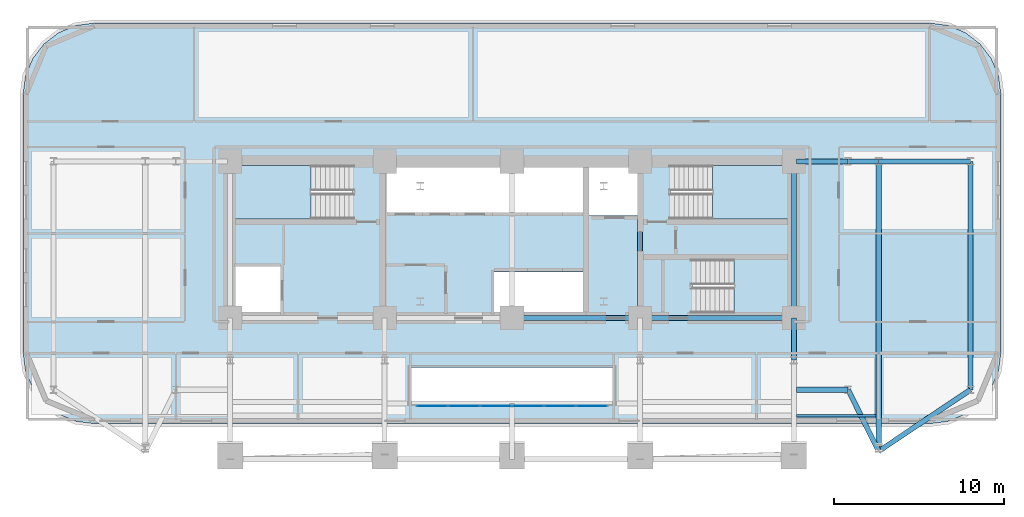
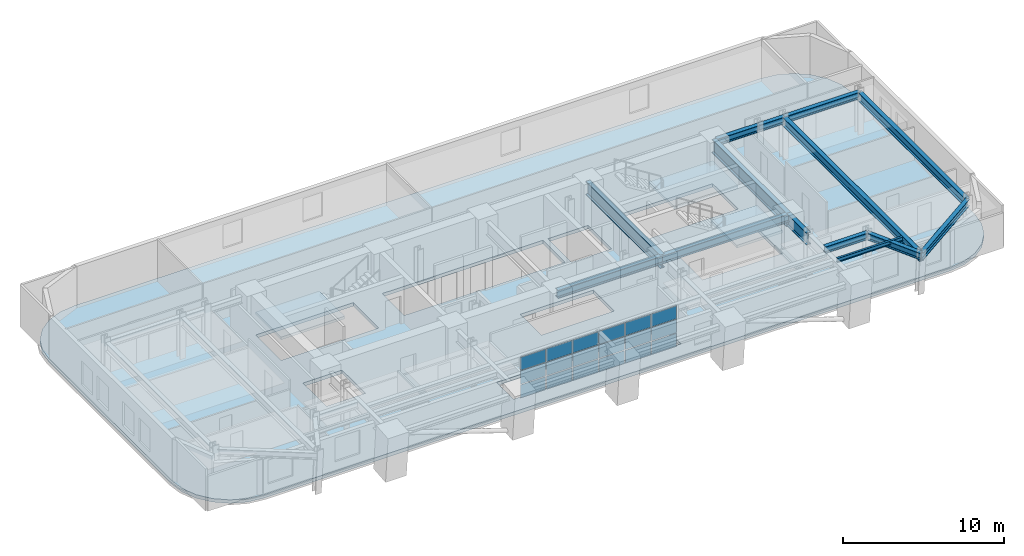
# One storey, part 5 of 15: 18 plates, 14 beams, 4 slabs, 4 elements without a shape of their own.
"""IFC4 building model written with IfcOpenShell, lengths in metres."""

from ifc_helpers import new_model, si_unit, direction, frame, origin, origin_2d, place, context, subcontext, project, spatial, polyline, rectangle, i_section, outline, extrude, material, layer, layer_set, material_profile, profile_set, type_object, element, aggregate, save


model = new_model("IFC4")

# Units and contexts
model_context = context("Model", 3, precision=1e-05, world=origin(), true_north=direction((0.0, 1.0)))
body_context = subcontext(model_context, "Body", "Model", "MODEL_VIEW")
ifc_project = project(units=[si_unit("LENGTHUNIT", "METRE"), si_unit("AREAUNIT", "SQUARE_METRE"), si_unit("VOLUMEUNIT", "CUBIC_METRE"), si_unit("PLANEANGLEUNIT", "RADIAN"), si_unit("MASSUNIT", "GRAM", prefix="KILO")], contexts=[model_context])

# Site, building, storey
site_placement = place(None, origin())
site = spatial("IfcSite", under=ifc_project, at=site_placement, CompositionType="ELEMENT")
building_placement = place(site_placement, origin())
building = spatial("IfcBuilding", under=site, at=building_placement, Name="Zarnavel Station Tower", CompositionType="ELEMENT")
storey_placement = place(building_placement, frame((0.0, 0.0, 71.0)))
storey = spatial("IfcBuildingStorey", under=building, at=storey_placement, Name="L19", CompositionType="ELEMENT", Elevation=71.0)

# Beams
ifc_material_1 = material(Name="Steel S355J2", Category="steel")
ifc_material_profile_1 = material_profile(ifc_material_1, i_section(OverallWidth=0.300048828125, OverallDepth=0.5, WebThickness=0.014404296875, FlangeThickness=0.028076171875, FilletRadius=0.027099609375, at=origin_2d()), Name="HEB500")
ifc_profile_set_1 = profile_set([ifc_material_profile_1], Name="Steel S355J2")
beam_type_1 = type_object("IfcBeamType", Name="FG_HEB500", PredefinedType="USERDEFINED", material=ifc_profile_set_1)
for number, where, z_axis, x_axis, name in (
    (1, (45.544921875, 23.60009765625, 2.929931640625), (1.0, 0.0, 0.0), (0.0, 1.0, 0.0), "L19 East Wing South Tie 1"),
    (2, (45.544921875, 37.050048828125, 2.929931640625), (1.0, 0.0, 0.0), (0.0, 1.0, 0.0), "L19 East Wing North Tie 1"),
):
    element("IfcBeam", number, at=place(storey_placement, frame(where, z_axis=z_axis, x_axis=x_axis)), inside=storey, type_object=beam_type_1, Name=name, ObjectType="GIRDER", PredefinedType="USERDEFINED", context=body_context, shape_type="SweptSolid", body=[
        extrude(i_section(OverallWidth=0.300048828125, OverallDepth=0.5, WebThickness=0.014404296875, FlangeThickness=0.028076171875, FilletRadius=0.027099609375, at=origin_2d()), origin(), (0.0, 0.0, 1.0), 3.05517578125),
    ])
beam_1_placement = place(storey_placement, frame((48.60009765625, 23.60009765625, 2.929931640625), z_axis=(0.445087120577, -0.895487272437, 0.0), x_axis=(0.895487272437, 0.445087120577, 0.0)))
element("IfcBeam", 3, at=beam_1_placement, inside=storey, type_object=beam_type_1, Name="L19 East Wing South Tie 2", ObjectType="GIRDER", PredefinedType="USERDEFINED", context=body_context, shape_type="SweptSolid", body=[
    extrude(i_section(OverallWidth=0.300048828125, OverallDepth=0.5, WebThickness=0.014404296875, FlangeThickness=0.028076171875, FilletRadius=0.027099609375, at=origin_2d()), origin(), (0.0, 0.0, 1.0), 4.043701171875),
])
beam_2_placement = place(storey_placement, frame((48.60009765625, 37.050048828125, 2.929931640625), z_axis=(1.0, 0.0, 0.0), x_axis=(0.0, 1.0, 0.0)))
element("IfcBeam", 4, at=beam_2_placement, inside=storey, type_object=beam_type_1, Name="L19 East Wing North Tie 2", ObjectType="GIRDER", PredefinedType="USERDEFINED", context=body_context, shape_type="SweptSolid", body=[
    extrude(i_section(OverallWidth=0.300048828125, OverallDepth=0.5, WebThickness=0.014404296875, FlangeThickness=0.028076171875, FilletRadius=0.027099609375, at=origin_2d()), origin(), (0.0, 0.0, 1.0), 1.7998046875),
])
beam_3_placement = place(storey_placement, frame((50.39990234375, 19.97900390625, 2.929931640625), z_axis=(0.830556865496, 0.556933831956, 0.0), x_axis=(-0.556933831956, 0.830556865496, 0.0)))
element("IfcBeam", 5, at=beam_3_placement, inside=storey, type_object=beam_type_1, Name="L19 East Wing South Tie 3", ObjectType="GIRDER", PredefinedType="USERDEFINED", context=body_context, shape_type="SweptSolid", body=[
    extrude(i_section(OverallWidth=0.300048828125, OverallDepth=0.5, WebThickness=0.014404296875, FlangeThickness=0.028076171875, FilletRadius=0.027099609375, at=origin_2d()), origin(), (0.0, 0.0, 1.0), 6.501953125),
])
beam_4_placement = place(storey_placement, frame((50.39990234375, 37.050048828125, 2.929931640625), z_axis=(1.0, 0.0, 0.0), x_axis=(0.0, 1.0, 0.0)))
element("IfcBeam", 6, at=beam_4_placement, inside=storey, type_object=beam_type_1, Name="L19 East Wing North Tie 3", ObjectType="GIRDER", PredefinedType="USERDEFINED", context=body_context, shape_type="SweptSolid", body=[
    extrude(i_section(OverallWidth=0.300048828125, OverallDepth=0.5, WebThickness=0.014404296875, FlangeThickness=0.028076171875, FilletRadius=0.027099609375, at=origin_2d()), origin(), (0.0, 0.0, 1.0), 5.400146484375),
])
ifc_material_2 = material(Name="Steel S355J2", Category="steel")
ifc_material_profile_2 = material_profile(ifc_material_2, i_section(OverallWidth=0.300048828125, OverallDepth=0.60009765625, WebThickness=0.015380859375, FlangeThickness=0.030029296875, FilletRadius=0.027099609375, at=origin_2d()), Name="HEB600")
ifc_profile_set_2 = profile_set([ifc_material_profile_2], Name="Steel S355J2")
beam_type_2 = type_object("IfcBeamType", Name="FG_HEB600", PredefinedType="USERDEFINED", material=ifc_profile_set_2)
beam_5_placement = place(storey_placement, frame((28.800048828125, 27.820068359375, 2.8798828125), z_axis=(1.0, 0.0, 0.0), x_axis=(0.0, 1.0, 0.0)))
element("IfcBeam", 7, at=beam_5_placement, inside=storey, type_object=beam_type_2, Name="L19 Core Front Coupling Beam 3", ObjectType="GIRDER", PredefinedType="USERDEFINED", context=body_context, shape_type="SweptSolid", body=[
    extrude(i_section(OverallWidth=0.300048828125, OverallDepth=0.60009765625, WebThickness=0.015380859375, FlangeThickness=0.030029296875, FilletRadius=0.027099609375, at=origin_2d()), origin(), (0.0, 0.0, 1.0), 7.550048828125),
])
beam_6_placement = place(storey_placement, frame((36.35009765625, 27.820068359375, 2.8798828125), z_axis=(1.0, 0.0, 0.0), x_axis=(0.0, 1.0, 0.0)))
element("IfcBeam", 8, at=beam_6_placement, inside=storey, type_object=beam_type_2, Name="L19 Core Front Coupling Beam 4", ObjectType="GIRDER", PredefinedType="USERDEFINED", context=body_context, shape_type="SweptSolid", body=[
    extrude(i_section(OverallWidth=0.300048828125, OverallDepth=0.60009765625, WebThickness=0.015380859375, FlangeThickness=0.030029296875, FilletRadius=0.027099609375, at=origin_2d()), origin(), (0.0, 0.0, 1.0), 9.0498046875),
])
ifc_material_3 = material(Name="Steel S355J2", Category="steel")
ifc_material_profile_3 = material_profile(ifc_material_3, i_section(OverallWidth=0.300048828125, OverallDepth=0.64990234375, WebThickness=0.01611328125, FlangeThickness=0.031005859375, FilletRadius=0.027099609375, at=origin_2d()), Name="HEB650")
ifc_profile_set_3 = profile_set([ifc_material_profile_3], Name="Steel S355J2")
beam_type_3 = type_object("IfcBeamType", Name="FG_HEB650", PredefinedType="USERDEFINED", material=ifc_profile_set_3)
beam_7_placement = place(storey_placement, frame((50.39990234375, 19.97900390625, 2.85498046875), z_axis=(0.0, 1.0, 0.0), x_axis=(-1.0, 0.0, 0.0)))
element("IfcBeam", 9, at=beam_7_placement, inside=storey, type_object=beam_type_3, Name="L19 Wing NS Girder 3", ObjectType="GIRDER", PredefinedType="USERDEFINED", context=body_context, shape_type="SweptSolid", body=[
    extrude(i_section(OverallWidth=0.300048828125, OverallDepth=0.64990234375, WebThickness=0.01611328125, FlangeThickness=0.031005859375, FilletRadius=0.027099609375, at=origin_2d()), origin(), (0.0, 0.0, 1.0), 17.071044921875),
])
beam_8_placement = place(storey_placement, frame((55.800048828125, 23.60009765625, 2.85498046875), z_axis=(0.0, 1.0, 0.0), x_axis=(-1.0, 0.0, 0.0)))
element("IfcBeam", 10, at=beam_8_placement, inside=storey, type_object=beam_type_3, Name="L19 Wing NS Girder 4", ObjectType="GIRDER", PredefinedType="USERDEFINED", context=body_context, shape_type="SweptSolid", body=[
    extrude(i_section(OverallWidth=0.300048828125, OverallDepth=0.64990234375, WebThickness=0.01611328125, FlangeThickness=0.031005859375, FilletRadius=0.027099609375, at=origin_2d()), origin(), (0.0, 0.0, 1.0), 13.449951171875),
])
ifc_material_4 = material(Name="Steel S355J2", Category="steel")
ifc_material_profile_4 = material_profile(ifc_material_4, i_section(OverallWidth=0.14990234375, OverallDepth=0.300048828125, WebThickness=0.007080078125, FlangeThickness=0.0107421875, FilletRadius=0.014892578125, at=origin_2d()), Name="IPE300")
ifc_profile_set_4 = profile_set([ifc_material_profile_4], Name="Steel S355J2")
beam_type_4 = type_object("IfcBeamType", Name="FJ_IPE300", PredefinedType="JOIST", material=ifc_profile_set_4)
beam_9_placement = place(storey_placement, frame((45.544921875, 22.070556640625, 3.030029296875), z_axis=(1.0, 0.0, 0.0), x_axis=(0.0, 1.0, 0.0)))
element("IfcBeam", 11, at=beam_9_placement, inside=storey, type_object=beam_type_4, Name="L19 East Wing Joist 1", PredefinedType="JOIST", context=body_context, shape_type="SweptSolid", body=[
    extrude(i_section(OverallWidth=0.14990234375, OverallDepth=0.300048828125, WebThickness=0.007080078125, FlangeThickness=0.0107421875, FilletRadius=0.014892578125, at=origin_2d()), origin(), (0.0, 0.0, 1.0), 4.7099609375),
])
ifc_material_5 = material(Name="Steel S460M", Category="steel")
ifc_material_profile_5 = material_profile(ifc_material_5, i_section(OverallWidth=0.302001953125, OverallDepth=1.008056640625, WebThickness=0.02099609375, FlangeThickness=0.0400390625, FilletRadius=0.030029296875, at=origin_2d()), Name="HEM1000")
ifc_profile_set_5 = profile_set([ifc_material_profile_5], Name="Steel S460M")
beam_type_5 = type_object("IfcBeamType", Name="TG_HEM1000", PredefinedType="USERDEFINED", material=ifc_profile_set_5)
for number, where, z_axis, x_axis, name in (
    (12, (36.35009765625, 27.820068359375, 2.676025390625), (0.0, 1.0, 0.0), (-1.0, 0.0, 0.0), "L19 Core Spine Coupling Girder 4"),
    (13, (45.39990234375, 27.820068359375, 2.676025390625), (0.0, 1.0, 0.0), (-1.0, 0.0, 0.0), "L19 Core Spine Coupling Girder 5"),
):
    element("IfcBeam", number, at=place(storey_placement, frame(where, z_axis=z_axis, x_axis=x_axis)), inside=storey, type_object=beam_type_5, Name=name, ObjectType="GIRDER", PredefinedType="USERDEFINED", context=body_context, shape_type="SweptSolid", body=[
        extrude(i_section(OverallWidth=0.302001953125, OverallDepth=1.008056640625, WebThickness=0.02099609375, FlangeThickness=0.0400390625, FilletRadius=0.030029296875, at=origin_2d()), origin(), (0.0, 0.0, 1.0), 9.22998046875),
    ])
ifc_material_6 = material(Name="Steel S460M", Category="steel")
ifc_material_profile_6 = material_profile(ifc_material_6, i_section(OverallWidth=0.302001953125, OverallDepth=0.909912109375, WebThickness=0.02099609375, FlangeThickness=0.0400390625, FilletRadius=0.030029296875, at=origin_2d()), Name="HEM900")
ifc_profile_set_6 = profile_set([ifc_material_profile_6], Name="Steel S460M")
beam_type_6 = type_object("IfcBeamType", Name="TG_HEM900", PredefinedType="USERDEFINED", material=ifc_profile_set_6)
beam_10_placement = place(storey_placement, frame((45.39990234375, 25.35009765625, 2.72509765625), z_axis=(0.0, 1.0, 0.0), x_axis=(-1.0, 0.0, 0.0)))
element("IfcBeam", 14, at=beam_10_placement, inside=storey, type_object=beam_type_6, Name="L19 Inner-Zone NS Girder 5", ObjectType="GIRDER", PredefinedType="USERDEFINED", context=body_context, shape_type="SweptSolid", body=[
    extrude(i_section(OverallWidth=0.302001953125, OverallDepth=0.909912109375, WebThickness=0.02099609375, FlangeThickness=0.0400390625, FilletRadius=0.030029296875, at=origin_2d()), origin(), (0.0, 0.0, 1.0), 2.469970703125),
])

# Curtain wall, plates
ifc_material_7 = material(Name="Aluminium Dark Anodised and Solar-Control Glass", Category="aluminium")
ifc_layer_1 = layer(ifc_material_7, 0.179931640625)
ifc_layer_set_1 = layer_set([ifc_layer_1], Name="CWS2")
curtain_wall_type = type_object("IfcCurtainWallType", Name="CWS2", PredefinedType="NOTDEFINED", material=ifc_layer_set_1)
curtain_wall_placement = place(storey_placement, origin())
curtain_wall = element("IfcCurtainWall", 15, at=curtain_wall_placement, inside=storey, type_object=curtain_wall_type, Name="L19 Curtain Wall CWS2-L19-AS", PredefinedType="NOTDEFINED")
ifc_material_8 = material(Name="Double Low-E Dark Solar-Control Glass", Category="glass")
ifc_layer_2 = layer(ifc_material_8, 0.028076171875)
ifc_layer_set_2 = layer_set([ifc_layer_2], Name="CWS2_PNL")
plate_type = type_object("IfcPlateType", Name="CWS2_PNL", PredefinedType="CURTAIN_PANEL", material=ifc_layer_set_2)
plate_1_placement = place(storey_placement, frame((24.106689453125, 22.64990234375, 0.06005859375), z_axis=(0.0, 0.0, 1.0), x_axis=(1.0, 0.0, 0.0)))
plate_1 = element("IfcPlate", 16, at=plate_1_placement, type_object=plate_type, Name="CW2 panel 1.1", PredefinedType="CURTAIN_PANEL", context=body_context, shape_type="SweptSolid", body=[
    extrude(rectangle(XDim=1.793212890625, YDim=0.028076171875, at=origin_2d()), origin(), (0.0, 0.0, 1.0), 0.969970703125),
])
plate_2_placement = place(storey_placement, frame((24.106689453125, 22.64990234375, 1.090087890625), z_axis=(0.0, 0.0, 1.0), x_axis=(1.0, 0.0, 0.0)))
plate_2 = element("IfcPlate", 17, at=plate_2_placement, type_object=plate_type, Name="CW2 panel 1.2", PredefinedType="CURTAIN_PANEL", context=body_context, shape_type="SweptSolid", body=[
    extrude(rectangle(XDim=1.793212890625, YDim=0.028076171875, at=origin_2d()), origin(), (0.0, 0.0, 1.0), 1.0),
])
plate_3_placement = place(storey_placement, frame((24.106689453125, 22.64990234375, 2.14990234375), z_axis=(0.0, 0.0, 1.0), x_axis=(1.0, 0.0, 0.0)))
plate_3 = element("IfcPlate", 18, at=plate_3_placement, type_object=plate_type, Name="CW2 panel 1.3", PredefinedType="CURTAIN_PANEL", context=body_context, shape_type="SweptSolid", body=[
    extrude(rectangle(XDim=1.793212890625, YDim=0.028076171875, at=origin_2d()), origin(), (0.0, 0.0, 1.0), 0.969970703125),
])
plate_4_placement = place(storey_placement, frame((25.97509765625, 22.64990234375, 0.06005859375), z_axis=(0.0, 0.0, 1.0), x_axis=(1.0, 0.0, 0.0)))
plate_4 = element("IfcPlate", 19, at=plate_4_placement, type_object=plate_type, Name="CW2 panel 2.1", PredefinedType="CURTAIN_PANEL", context=body_context, shape_type="SweptSolid", body=[
    extrude(rectangle(XDim=1.8232421875, YDim=0.028076171875, at=origin_2d()), origin(), (0.0, 0.0, 1.0), 0.969970703125),
])
plate_5_placement = place(storey_placement, frame((25.97509765625, 22.64990234375, 1.090087890625), z_axis=(0.0, 0.0, 1.0), x_axis=(1.0, 0.0, 0.0)))
plate_5 = element("IfcPlate", 20, at=plate_5_placement, type_object=plate_type, Name="CW2 panel 2.2", PredefinedType="CURTAIN_PANEL", context=body_context, shape_type="SweptSolid", body=[
    extrude(rectangle(XDim=1.8232421875, YDim=0.028076171875, at=origin_2d()), origin(), (0.0, 0.0, 1.0), 1.0),
])
plate_6_placement = place(storey_placement, frame((25.97509765625, 22.64990234375, 2.14990234375), z_axis=(0.0, 0.0, 1.0), x_axis=(1.0, 0.0, 0.0)))
plate_6 = element("IfcPlate", 21, at=plate_6_placement, type_object=plate_type, Name="CW2 panel 2.3", PredefinedType="CURTAIN_PANEL", context=body_context, shape_type="SweptSolid", body=[
    extrude(rectangle(XDim=1.8232421875, YDim=0.028076171875, at=origin_2d()), origin(), (0.0, 0.0, 1.0), 0.969970703125),
])
plate_7_placement = place(storey_placement, frame((27.8583984375, 22.64990234375, 0.06005859375), z_axis=(0.0, 0.0, 1.0), x_axis=(1.0, 0.0, 0.0)))
plate_7 = element("IfcPlate", 22, at=plate_7_placement, type_object=plate_type, Name="CW2 panel 3.1", PredefinedType="CURTAIN_PANEL", context=body_context, shape_type="SweptSolid", body=[
    extrude(rectangle(XDim=1.8232421875, YDim=0.028076171875, at=origin_2d()), origin(), (0.0, 0.0, 1.0), 0.969970703125),
])
plate_8_placement = place(storey_placement, frame((27.8583984375, 22.64990234375, 1.090087890625), z_axis=(0.0, 0.0, 1.0), x_axis=(1.0, 0.0, 0.0)))
plate_8 = element("IfcPlate", 23, at=plate_8_placement, type_object=plate_type, Name="CW2 panel 3.2", PredefinedType="CURTAIN_PANEL", context=body_context, shape_type="SweptSolid", body=[
    extrude(rectangle(XDim=1.8232421875, YDim=0.028076171875, at=origin_2d()), origin(), (0.0, 0.0, 1.0), 1.0),
])
plate_9_placement = place(storey_placement, frame((27.8583984375, 22.64990234375, 2.14990234375), z_axis=(0.0, 0.0, 1.0), x_axis=(1.0, 0.0, 0.0)))
plate_9 = element("IfcPlate", 24, at=plate_9_placement, type_object=plate_type, Name="CW2 panel 3.3", PredefinedType="CURTAIN_PANEL", context=body_context, shape_type="SweptSolid", body=[
    extrude(rectangle(XDim=1.8232421875, YDim=0.028076171875, at=origin_2d()), origin(), (0.0, 0.0, 1.0), 0.969970703125),
])
plate_10_placement = place(storey_placement, frame((29.74169921875, 22.64990234375, 0.06005859375), z_axis=(0.0, 0.0, 1.0), x_axis=(1.0, 0.0, 0.0)))
plate_10 = element("IfcPlate", 25, at=plate_10_placement, type_object=plate_type, Name="CW2 panel 4.1", PredefinedType="CURTAIN_PANEL", context=body_context, shape_type="SweptSolid", body=[
    extrude(rectangle(XDim=1.8232421875, YDim=0.028076171875, at=origin_2d()), origin(), (0.0, 0.0, 1.0), 0.969970703125),
])
plate_11_placement = place(storey_placement, frame((29.74169921875, 22.64990234375, 1.090087890625), z_axis=(0.0, 0.0, 1.0), x_axis=(1.0, 0.0, 0.0)))
plate_11 = element("IfcPlate", 26, at=plate_11_placement, type_object=plate_type, Name="CW2 panel 4.2", PredefinedType="CURTAIN_PANEL", context=body_context, shape_type="SweptSolid", body=[
    extrude(rectangle(XDim=1.8232421875, YDim=0.028076171875, at=origin_2d()), origin(), (0.0, 0.0, 1.0), 1.0),
])
plate_12_placement = place(storey_placement, frame((29.74169921875, 22.64990234375, 2.14990234375), z_axis=(0.0, 0.0, 1.0), x_axis=(1.0, 0.0, 0.0)))
plate_12 = element("IfcPlate", 27, at=plate_12_placement, type_object=plate_type, Name="CW2 panel 4.3", PredefinedType="CURTAIN_PANEL", context=body_context, shape_type="SweptSolid", body=[
    extrude(rectangle(XDim=1.8232421875, YDim=0.028076171875, at=origin_2d()), origin(), (0.0, 0.0, 1.0), 0.969970703125),
])
plate_13_placement = place(storey_placement, frame((31.625, 22.64990234375, 0.06005859375), z_axis=(0.0, 0.0, 1.0), x_axis=(1.0, 0.0, 0.0)))
plate_13 = element("IfcPlate", 28, at=plate_13_placement, type_object=plate_type, Name="CW2 panel 5.1", PredefinedType="CURTAIN_PANEL", context=body_context, shape_type="SweptSolid", body=[
    extrude(rectangle(XDim=1.8232421875, YDim=0.028076171875, at=origin_2d()), origin(), (0.0, 0.0, 1.0), 0.969970703125),
])
plate_14_placement = place(storey_placement, frame((31.625, 22.64990234375, 1.090087890625), z_axis=(0.0, 0.0, 1.0), x_axis=(1.0, 0.0, 0.0)))
plate_14 = element("IfcPlate", 29, at=plate_14_placement, type_object=plate_type, Name="CW2 panel 5.2", PredefinedType="CURTAIN_PANEL", context=body_context, shape_type="SweptSolid", body=[
    extrude(rectangle(XDim=1.8232421875, YDim=0.028076171875, at=origin_2d()), origin(), (0.0, 0.0, 1.0), 1.0),
])
plate_15_placement = place(storey_placement, frame((31.625, 22.64990234375, 2.14990234375), z_axis=(0.0, 0.0, 1.0), x_axis=(1.0, 0.0, 0.0)))
plate_15 = element("IfcPlate", 30, at=plate_15_placement, type_object=plate_type, Name="CW2 panel 5.3", PredefinedType="CURTAIN_PANEL", context=body_context, shape_type="SweptSolid", body=[
    extrude(rectangle(XDim=1.8232421875, YDim=0.028076171875, at=origin_2d()), origin(), (0.0, 0.0, 1.0), 0.969970703125),
])
plate_16_placement = place(storey_placement, frame((33.493408203125, 22.64990234375, 0.06005859375), z_axis=(0.0, 0.0, 1.0), x_axis=(1.0, 0.0, 0.0)))
plate_16 = element("IfcPlate", 31, at=plate_16_placement, type_object=plate_type, Name="CW2 panel 6.1", PredefinedType="CURTAIN_PANEL", context=body_context, shape_type="SweptSolid", body=[
    extrude(rectangle(XDim=1.793212890625, YDim=0.028076171875, at=origin_2d()), origin(), (0.0, 0.0, 1.0), 0.969970703125),
])
plate_17_placement = place(storey_placement, frame((33.493408203125, 22.64990234375, 1.090087890625), z_axis=(0.0, 0.0, 1.0), x_axis=(1.0, 0.0, 0.0)))
plate_17 = element("IfcPlate", 32, at=plate_17_placement, type_object=plate_type, Name="CW2 panel 6.2", PredefinedType="CURTAIN_PANEL", context=body_context, shape_type="SweptSolid", body=[
    extrude(rectangle(XDim=1.793212890625, YDim=0.028076171875, at=origin_2d()), origin(), (0.0, 0.0, 1.0), 1.0),
])
plate_18_placement = place(storey_placement, frame((33.493408203125, 22.64990234375, 2.14990234375), z_axis=(0.0, 0.0, 1.0), x_axis=(1.0, 0.0, 0.0)))
plate_18 = element("IfcPlate", 33, at=plate_18_placement, type_object=plate_type, Name="CW2 panel 6.3", PredefinedType="CURTAIN_PANEL", context=body_context, shape_type="SweptSolid", body=[
    extrude(rectangle(XDim=1.793212890625, YDim=0.028076171875, at=origin_2d()), origin(), (0.0, 0.0, 1.0), 0.969970703125),
])
aggregate(curtain_wall, [plate_1, plate_2, plate_3, plate_4, plate_5, plate_6, plate_7, plate_8, plate_9, plate_10, plate_11, plate_12, plate_13, plate_14, plate_15, plate_16, plate_17, plate_18])

# Slab
ifc_material_9 = material(Name="Concrete C45/55", Category="concrete")
ifc_layer_3 = layer(ifc_material_9, 0.260009765625)
ifc_layer_set_3 = layer_set([ifc_layer_3], Name="SL_FLR_260")
slab_type_1 = type_object("IfcSlabType", Name="SL_FLR_260", PredefinedType="FLOOR", material=ifc_layer_set_3)
slab_1_placement = place(storey_placement, frame((0.0, 0.0, -0.260009765625)))
element("IfcSlab", 34, at=slab_1_placement, inside=storey, type_object=slab_type_1, Name="L19 Structural Floor Slab", PredefinedType="FLOOR", context=body_context, shape_type="SweptSolid", body=[
    extrude(outline(polyline([(53.39990234375, 21.60009765625), (54.487060546875, 21.7431640625), (55.5, 22.16259765625), (56.369873046875, 22.830078125), (57.037353515625, 23.699951171875), (57.456787109375, 24.712890625), (57.60009765625, 25.800048828125), (57.60009765625, 41.0), (57.456787109375, 42.0869140625), (57.037353515625, 43.10009765625), (56.369873046875, 43.9697265625), (55.5, 44.63720703125), (54.487060546875, 45.056884765625), (53.39990234375, 45.199951171875), (4.199951171875, 45.199951171875), (3.113037109375, 45.056884765625), (2.10009765625, 44.63720703125), (1.230224609375, 43.9697265625), (0.562744140625, 43.10009765625), (0.14306640625, 42.0869140625), (0.0, 41.0), (0.0, 25.800048828125), (0.14306640625, 24.712890625), (0.562744140625, 23.699951171875), (1.230224609375, 22.830078125), (2.10009765625, 22.16259765625), (3.113037109375, 21.7431640625), (4.199951171875, 21.60009765625), (53.39990234375, 21.60009765625)]), holes=[polyline([(12.39990234375, 33.659912109375), (19.409912109375, 33.659912109375), (19.409912109375, 36.820068359375), (12.39990234375, 36.820068359375), (12.39990234375, 33.659912109375)]), polyline([(38.14990234375, 33.659912109375), (45.159912109375, 33.659912109375), (45.159912109375, 36.820068359375), (38.14990234375, 36.820068359375), (38.14990234375, 33.659912109375)]), polyline([(39.419921875, 28.1201171875), (45.14990234375, 28.1201171875), (45.14990234375, 31.280029296875), (39.419921875, 31.280029296875), (39.419921875, 28.1201171875)]), polyline([(12.35009765625, 27.949951171875), (15.14990234375, 27.949951171875), (15.14990234375, 30.85009765625), (12.35009765625, 30.85009765625), (12.35009765625, 27.949951171875)]), polyline([(33.320068359375, 33.85009765625), (36.2099609375, 33.85009765625), (36.2099609375, 36.780029296875), (33.320068359375, 36.780029296875), (33.320068359375, 33.85009765625)]), polyline([(21.449951171875, 34.050048828125), (32.97998046875, 34.050048828125), (32.97998046875, 36.780029296875), (21.449951171875, 36.780029296875), (21.449951171875, 34.050048828125)]), polyline([(27.75, 27.949951171875), (32.97998046875, 27.949951171875), (32.97998046875, 30.550048828125), (27.75, 30.550048828125), (27.75, 27.949951171875)]), polyline([(22.800048828125, 22.800048828125), (34.800048828125, 22.800048828125), (34.800048828125, 24.89990234375), (22.800048828125, 24.89990234375), (22.800048828125, 22.800048828125)])]), origin(), (0.0, 0.0, 1.0), 0.260009765625),
])

# Stair, slab
ifc_material_10 = material(Name="Concrete C45/55", Category="concrete")
stair_type = type_object("IfcStairType", Name="ST_CORE_150", PredefinedType="HALF_TURN_STAIR", material=ifc_material_10)
stair_1_placement = place(storey_placement, origin())
stair_1 = element("IfcStair", 35, at=stair_1_placement, inside=storey, type_object=stair_type, Name="L19 Core Exit Stair ST1", PredefinedType="HALF_TURN_STAIR")
ifc_material_11 = material(Name="Concrete C45/55", Category="concrete")
ifc_layer_4 = layer(ifc_material_11, 0.199951171875)
ifc_layer_set_4 = layer_set([ifc_layer_4], Name="SL_STAIR_LAND_200")
slab_type_2 = type_object("IfcSlabType", Name="SL_STAIR_LAND_200", PredefinedType="LANDING", material=ifc_layer_set_4)
slab_2_placement = place(storey_placement, frame((0.0, 0.0, 1.550048828125)))
slab_2 = element("IfcSlab", 36, at=slab_2_placement, type_object=slab_type_2, Name="ST1 landing 1", PredefinedType="LANDING", context=body_context, shape_type="SweptSolid", body=[
    extrude(outline(polyline([(16.9599609375, 36.820068359375), (12.39990234375, 36.820068359375), (12.39990234375, 33.659912109375), (16.9599609375, 33.659912109375), (16.9599609375, 36.820068359375)])), origin(), (0.0, 0.0, 1.0), 0.199951171875),
])
aggregate(stair_1, [slab_2])

stair_2_placement = place(storey_placement, origin())
stair_2 = element("IfcStair", 37, at=stair_2_placement, inside=storey, type_object=stair_type, Name="L19 Core Exit Stair ST2", PredefinedType="HALF_TURN_STAIR")
slab_3_placement = place(storey_placement, frame((0.0, 0.0, 1.550048828125)))
slab_3 = element("IfcSlab", 38, at=slab_3_placement, type_object=slab_type_2, Name="ST2 landing 1", PredefinedType="LANDING", context=body_context, shape_type="SweptSolid", body=[
    extrude(outline(polyline([(40.60009765625, 33.659912109375), (45.159912109375, 33.659912109375), (45.159912109375, 36.820068359375), (40.60009765625, 36.820068359375), (40.60009765625, 33.659912109375)])), origin(), (0.0, 0.0, 1.0), 0.199951171875),
])
aggregate(stair_2, [slab_3])

stair_3_placement = place(storey_placement, origin())
stair_3 = element("IfcStair", 39, at=stair_3_placement, inside=storey, type_object=stair_type, Name="L19 Core Exit Stair ST3", PredefinedType="HALF_TURN_STAIR")
slab_4_placement = place(storey_placement, frame((0.0, 0.0, 1.550048828125)))
slab_4 = element("IfcSlab", 40, at=slab_4_placement, type_object=slab_type_2, Name="ST3 landing 1", PredefinedType="LANDING", context=body_context, shape_type="SweptSolid", body=[
    extrude(outline(polyline([(41.8701171875, 28.1201171875), (45.14990234375, 28.1201171875), (45.14990234375, 31.280029296875), (41.8701171875, 31.280029296875), (41.8701171875, 28.1201171875)])), origin(), (0.0, 0.0, 1.0), 0.199951171875),
])
aggregate(stair_3, [slab_4])

save(model, "model.ifc")
